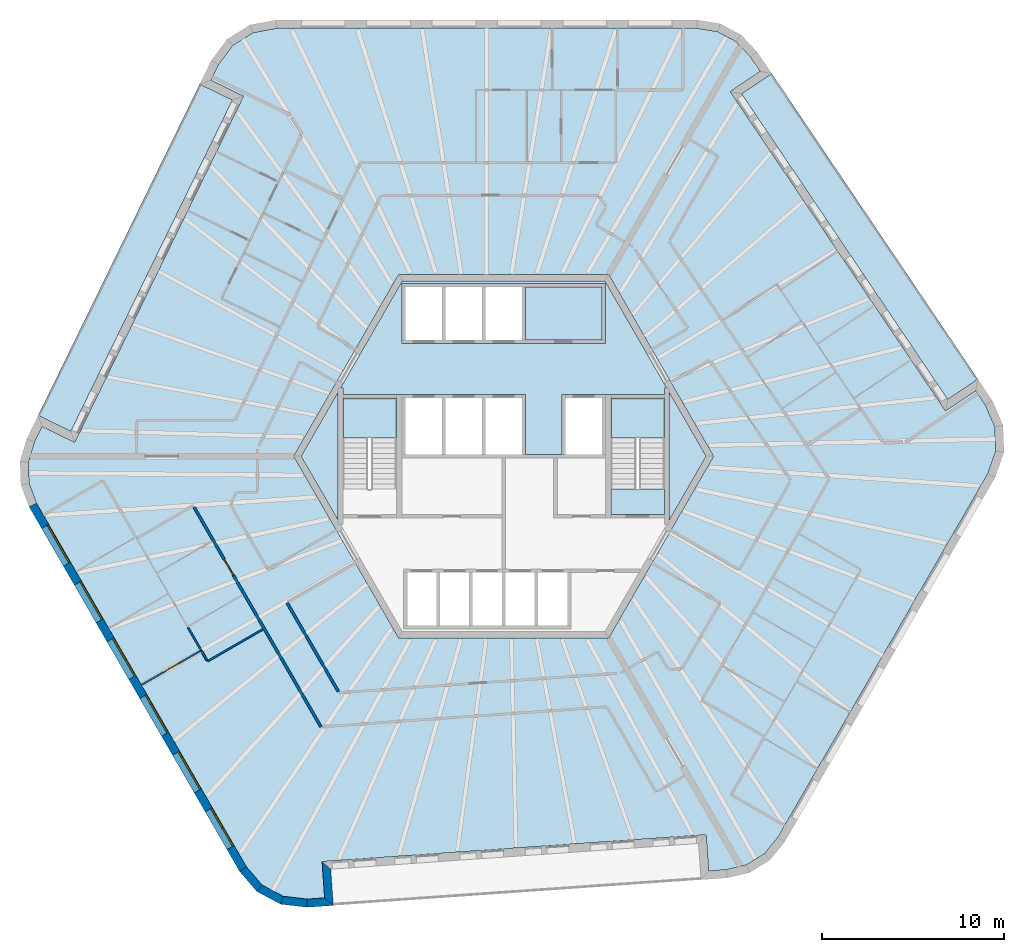
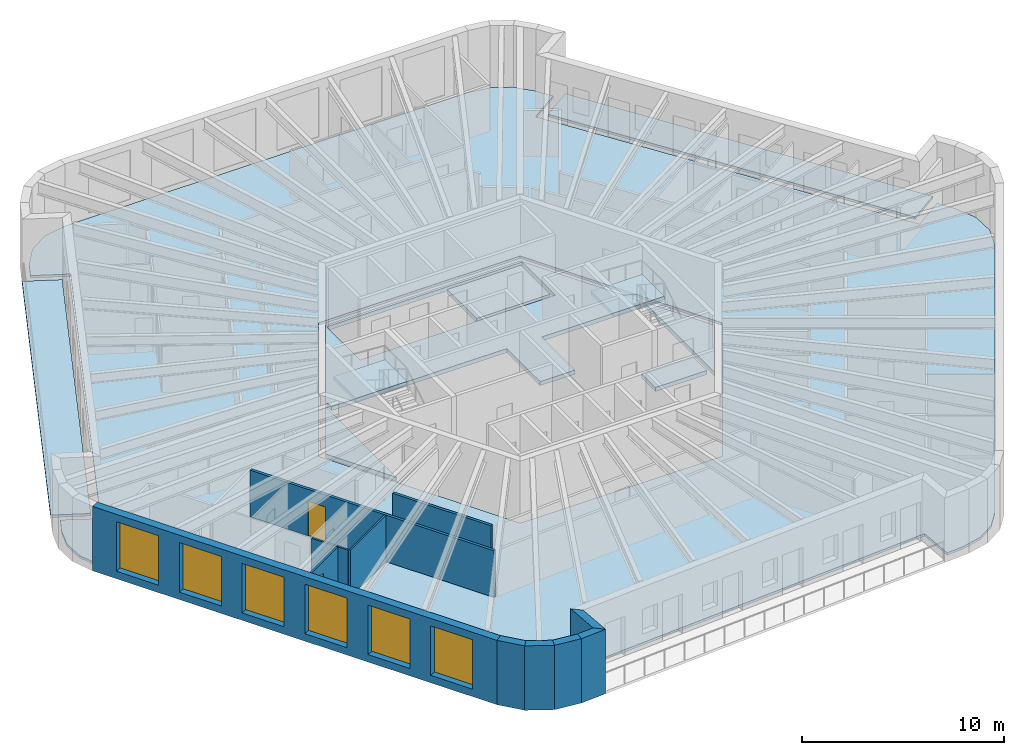
# One storey, part 2 of 11: 12 walls, 10 slabs, 6 windows, 2 doors, 8 openings, 2 elements without a shape of their own.
"""IFC4 building model written with IfcOpenShell, lengths in metres."""

from ifc_helpers import new_model, si_unit, direction, frame, frame_2d, origin, place, context, subcontext, project, spatial, polyline, rectangle, outline, extrude, material, layer, layer_set, type_object, element, fill, aggregate, save


model = new_model("IFC4")

# Units and contexts
model_context = context("Model", 3, precision=1e-05, world=origin(), true_north=direction((0.0, 1.0)))
body_context = subcontext(model_context, "Body", "Model", "MODEL_VIEW")
ifc_project = project(units=[si_unit("LENGTHUNIT", "METRE"), si_unit("AREAUNIT", "SQUARE_METRE"), si_unit("VOLUMEUNIT", "CUBIC_METRE"), si_unit("PLANEANGLEUNIT", "RADIAN"), si_unit("MASSUNIT", "GRAM", prefix="KILO")], contexts=[model_context])

# Site, building, storey
site_placement = place(None, origin())
site = spatial("IfcSite", under=ifc_project, at=site_placement, CompositionType="ELEMENT")
building_placement = place(site_placement, origin())
building = spatial("IfcBuilding", under=site, at=building_placement, Name="Tarnside Tower", CompositionType="ELEMENT")
storey_placement = place(building_placement, frame((0.0, 0.0, 357.300048828125)))
storey = spatial("IfcBuildingStorey", under=building, at=storey_placement, Name="L86", CompositionType="ELEMENT", Elevation=357.300048828125)

# Slabs
ifc_material_1 = material(Name="Concrete C35/45", Category="concrete")
ifc_layer_1 = layer(ifc_material_1, 0.14990234375)
ifc_layer_set_1 = layer_set([ifc_layer_1], Name="Composite floor slab 150")
slab_type_1 = type_object("IfcSlabType", Name="Composite floor slab 150", PredefinedType="FLOOR", material=ifc_layer_set_1)
slab_1_placement = place(storey_placement, frame((0.0, 0.0, -0.150146484375)))
element("IfcSlab", 1, at=slab_1_placement, inside=storey, type_object=slab_type_1, Name="Floor slab L86", PredefinedType="FLOOR", context=body_context, shape_type="SweptSolid", body=[
    extrude(outline(polyline([(11.769287109375, 23.3603515625), (12.785400390625, 22.8203125), (13.58740234375, 21.969970703125), (14.12255859375, 21.1767578125), (12.46435546875, 20.058349609375), (24.30908203125, 2.498046875), (25.967041015625, 3.616455078125), (26.50048828125, 2.82568359375), (27.02880859375, 1.6005859375), (27.07470703125, 0.288818359375), (26.633056640625, -0.97021484375), (15.0869140625, -20.968505859375), (14.345947265625, -21.872802734375), (13.370361328125, -22.482421875), (12.232666015625, -22.752197265625), (11.2783203125, -22.81884765625), (11.138916015625, -20.82373046875), (-9.9912109375, -22.30126953125), (-9.8515625, -24.29638671875), (-10.80322265625, -24.36279296875), (-12.12841796875, -24.2080078125), (-13.287353515625, -23.591796875), (-14.15673828125, -22.579833984375), (-25.702880859375, -2.581298828125), (-26.115478515625, -1.487548828125), (-26.155517578125, -0.337890625), (-25.8203125, 0.7822265625), (-25.40087890625, 1.64208984375), (-23.603271484375, 0.765380859375), (-14.31787109375, 19.80322265625), (-16.115478515625, 20.679931640625), (-15.697265625, 21.537353515625), (-14.900634765625, 22.607421875), (-13.787353515625, 23.302978515625), (-12.476318359375, 23.550048828125), (10.61572265625, 23.550048828125), (11.769287109375, 23.3603515625)]), holes=[polyline([(-11.547119140625, 0.0), (-5.7734375, -10.0), (5.7734375, -10.0), (11.547119140625, 0.0), (5.7734375, 10.0), (-5.7734375, 10.0), (-11.547119140625, 0.0)])]), origin(), (0.0, 0.0, 1.0), 0.150146484375),
])
ifc_material_2 = material(Name="Concrete C40/50", Category="concrete")
ifc_layer_2 = layer(ifc_material_2, 0.25)
ifc_layer_set_2 = layer_set([ifc_layer_2], Name="Core slab C40/50")
slab_type_2 = type_object("IfcSlabType", Name="Core slab C40/50", PredefinedType="FLOOR", material=ifc_layer_set_2)
slab_2_placement = place(storey_placement, frame((0.0, 0.0, -0.25)))
element("IfcSlab", 2, at=slab_2_placement, inside=storey, type_object=slab_type_2, Name="L86 core floor slab 1", PredefinedType="FLOOR", context=body_context, shape_type="SweptSolid", body=[
    extrude(outline(polyline([(5.5712890625, 9.64990234375), (8.97509765625, 3.7548828125), (8.85009765625, 3.7548828125), (8.85009765625, 3.39990234375), (5.89990234375, 3.39990234375), (5.60009765625, 3.39990234375), (3.39990234375, 3.39990234375), (3.199951171875, 3.39990234375), (3.199951171875, 0.10009765625), (1.199951171875, 0.10009765625), (1.199951171875, 3.39990234375), (1.0, 3.39990234375), (-5.60009765625, 3.39990234375), (-5.89990234375, 3.39990234375), (-8.85009765625, 3.39990234375), (-8.85009765625, 3.7548828125), (-8.97509765625, 3.7548828125), (-5.5712890625, 9.64990234375), (5.5712890625, 9.64990234375)]), holes=[polyline([(-5.60009765625, 6.199951171875), (5.60009765625, 6.199951171875), (5.60009765625, 6.39990234375), (5.60009765625, 9.300048828125), (5.60009765625, 9.5), (-5.60009765625, 9.5), (-5.60009765625, 9.300048828125), (-5.60009765625, 6.39990234375), (-5.60009765625, 6.199951171875)])]), origin(), (0.0, 0.0, 1.0), 0.25),
])
slab_3_placement = place(storey_placement, frame((0.0, 0.0, -0.25)))
element("IfcSlab", 3, at=slab_3_placement, inside=storey, type_object=slab_type_2, Name="L86 core floor slab 2", PredefinedType="FLOOR", context=body_context, shape_type="SweptSolid", body=[
    extrude(outline(polyline([(-9.10009765625, -3.538330078125), (-11.142822265625, 0.0), (-9.10009765625, 3.538330078125), (-9.10009765625, -3.538330078125)])), origin(), (0.0, 0.0, 1.0), 0.25),
])
slab_4_placement = place(storey_placement, frame((0.0, 0.0, -0.25)))
element("IfcSlab", 4, at=slab_4_placement, inside=storey, type_object=slab_type_2, Name="L86 core floor slab 4", PredefinedType="FLOOR", context=body_context, shape_type="SweptSolid", body=[
    extrude(outline(polyline([(9.10009765625, 3.538330078125), (11.142822265625, 0.0), (9.10009765625, -3.538330078125), (9.10009765625, 3.538330078125)])), origin(), (0.0, 0.0, 1.0), 0.25),
])
slab_5_placement = place(storey_placement, frame((0.0, 0.0, -0.25)))
element("IfcSlab", 5, at=slab_5_placement, inside=storey, type_object=slab_type_2, Name="L86 core floor slab 6", PredefinedType="FLOOR", context=body_context, shape_type="SweptSolid", body=[
    extrude(outline(polyline([(5.89990234375, -1.800048828125), (8.85009765625, -1.800048828125), (8.85009765625, -3.199951171875), (5.89990234375, -3.199951171875), (5.89990234375, -1.800048828125)])), origin(), (0.0, 0.0, 1.0), 0.25),
])
slab_6_placement = place(storey_placement, frame((0.0, 0.0, -0.25)))
element("IfcSlab", 6, at=slab_6_placement, inside=storey, type_object=slab_type_2, Name="L86 core floor slab 7", PredefinedType="FLOOR", context=body_context, shape_type="SweptSolid", body=[
    extrude(outline(polyline([(5.39990234375, 6.39990234375), (1.199951171875, 6.39990234375), (1.199951171875, 9.300048828125), (5.39990234375, 9.300048828125), (5.39990234375, 6.39990234375)])), origin(), (0.0, 0.0, 1.0), 0.25),
])
ifc_material_3 = material(Name="Timber decking", Category="wood")
ifc_layer_3 = layer(ifc_material_3, 0.0400390625)
ifc_material_4 = material(Name="Concrete C60/75 precast", Category="concrete")
ifc_layer_4 = layer(ifc_material_4, 0.110107421875)
ifc_layer_set_3 = layer_set([ifc_layer_3, ifc_layer_4], Name="Loggia deck 150")
slab_type_3 = type_object("IfcSlabType", Name="Loggia deck 150", PredefinedType="FLOOR", material=ifc_layer_set_3)
slab_7_placement = place(storey_placement, frame((0.0, 0.0, -0.150146484375)))
element("IfcSlab", 7, at=slab_7_placement, inside=storey, type_object=slab_type_3, Name="Loggia deck L86 F2", PredefinedType="FLOOR", context=body_context, shape_type="SweptSolid", body=[
    extrude(outline(polyline([(-14.919677734375, 19.595947265625), (-23.810546875, 1.366943359375), (-25.608154296875, 2.24365234375), (-16.71728515625, 20.47265625), (-14.919677734375, 19.595947265625)])), origin(), (0.0, 0.0, 1.0), 0.150146484375),
])
slab_8_placement = place(storey_placement, frame((0.0, 0.0, -0.150146484375)))
element("IfcSlab", 8, at=slab_8_placement, inside=storey, type_object=slab_type_3, Name="Loggia deck L86 F6", PredefinedType="FLOOR", context=body_context, shape_type="SweptSolid", body=[
    extrude(outline(polyline([(24.430419921875, 3.122802734375), (13.089111328125, 19.93701171875), (14.7470703125, 21.055419921875), (26.088623046875, 4.2412109375), (24.430419921875, 3.122802734375)])), origin(), (0.0, 0.0, 1.0), 0.150146484375),
])

# Stair, slab
stair_type = type_object("IfcStairType", Name="Exit stair 1400 clear", PredefinedType="HALF_TURN_STAIR", material=ifc_material_2)
stair_1_placement = place(storey_placement, origin())
stair_1 = element("IfcStair", 9, at=stair_1_placement, inside=storey, type_object=stair_type, Name="L86 Exit stair 1", PredefinedType="HALF_TURN_STAIR")
ifc_layer_5 = layer(ifc_material_2, 0.199951171875)
ifc_layer_set_4 = layer_set([ifc_layer_5], Name="Stair landing 200 C40/50")
slab_type_4 = type_object("IfcSlabType", Name="Stair landing 200 C40/50", PredefinedType="LANDING", material=ifc_layer_set_4)
slab_9_placement = place(storey_placement, frame((0.0, 0.0, 1.75)))
slab_9 = element("IfcSlab", 10, at=slab_9_placement, type_object=slab_type_4, Name="ST1 landing 1", PredefinedType="LANDING", context=body_context, shape_type="SweptSolid", body=[
    extrude(outline(polyline([(8.85009765625, 1.0), (8.85009765625, 3.199951171875), (5.89990234375, 3.199951171875), (5.89990234375, 1.0), (8.85009765625, 1.0)])), origin(), (0.0, 0.0, 1.0), 0.199951171875),
])
aggregate(stair_1, [slab_9])

stair_2_placement = place(storey_placement, origin())
stair_2 = element("IfcStair", 11, at=stair_2_placement, inside=storey, type_object=stair_type, Name="L86 Exit stair 2", PredefinedType="HALF_TURN_STAIR")
slab_10_placement = place(storey_placement, frame((0.0, 0.0, 1.75)))
slab_10 = element("IfcSlab", 12, at=slab_10_placement, type_object=slab_type_4, Name="ST2 landing 1", PredefinedType="LANDING", context=body_context, shape_type="SweptSolid", body=[
    extrude(outline(polyline([(-5.89990234375, 1.0), (-5.89990234375, 3.199951171875), (-8.85009765625, 3.199951171875), (-8.85009765625, 1.0), (-5.89990234375, 1.0)])), origin(), (0.0, 0.0, 1.0), 0.199951171875),
])
aggregate(stair_2, [slab_10])

# Walls
ifc_material_5 = material(Name="Gypsum board partition on steel studs", Category="steel")
ifc_layer_6 = layer(ifc_material_5, 0.10009765625)
ifc_layer_set_5 = layer_set([ifc_layer_6], Name="Bathroom wall 100")
wall_type_1 = type_object("IfcWallType", Name="Bathroom wall 100", PredefinedType="PARTITIONING", material=ifc_layer_set_5)
wall_1_placement = place(storey_placement, frame((-13.238525390625, -9.52001953125, 0.0), z_axis=(0.0, 0.0, 1.0), x_axis=(-0.866031034943, -0.499990246421, 0.0)))
element("IfcWall", 13, at=wall_1_placement, inside=storey, type_object=wall_type_1, Name="Bathroom wall 27094", PredefinedType="PARTITIONING", context=body_context, shape_type="SweptSolid", body=[
    extrude(rectangle(XDim=3.52490234375, YDim=0.10009765625, at=frame_2d((1.762451171875, 0.0))), origin(), (0.0, 0.0, 1.0), 2.820068359375),
])
wall_2_placement = place(storey_placement, frame((-16.31640625, -11.2392578125, 0.0), z_axis=(0.0, 0.0, 1.0), x_axis=(-0.499962526042, 0.866047038303, 0.0)))
element("IfcWall", 14, at=wall_2_placement, inside=storey, type_object=wall_type_1, Name="Bathroom wall 27095", PredefinedType="PARTITIONING", context=body_context, shape_type="SweptSolid", body=[
    extrude(rectangle(XDim=0.6455078125, YDim=0.10009765625, at=frame_2d((0.32275390625, 0.0))), origin(), (0.0, 0.0, 1.0), 2.820068359375),
])
wall_3_placement = place(storey_placement, frame((-16.63720703125, -10.68359375, 0.0), z_axis=(0.0, 0.0, 1.0), x_axis=(-0.500046085413, 0.865998794724, 0.0)))
element("IfcWall", 15, at=wall_3_placement, inside=storey, type_object=wall_type_1, Name="Bathroom wall 27103", PredefinedType="PARTITIONING", context=body_context, shape_type="SweptSolid", body=[
    extrude(rectangle(XDim=1.458251953125, YDim=0.10009765625, at=frame_2d((0.72900390625, 0.0))), origin(), (0.0, 0.0, 1.0), 2.820068359375),
])

# Wall, opening, door
ifc_layer_7 = layer(ifc_material_5, 0.14990234375)
ifc_layer_set_6 = layer_set([ifc_layer_7], Name="Corridor wall 150 EI 60")
wall_type_2 = type_object("IfcWallType", Name="Corridor wall 150 EI 60", PredefinedType="PARTITIONING", material=ifc_layer_set_6)
wall_4_placement = place(storey_placement, frame((-17.0361328125, -2.79248046875, 0.0), z_axis=(0.0, 0.0, 1.0), x_axis=(0.500006428338, -0.86602169235, 0.0)))
wall_4 = element("IfcWall", 16, at=wall_4_placement, inside=storey, type_object=wall_type_2, Name="Corridor wall 27024", PredefinedType="PARTITIONING", context=body_context, shape_type="SweptSolid", body=[
    extrude(rectangle(XDim=13.966064453125, YDim=0.14990234375, at=frame_2d((6.98291015625, 0.0))), origin(), (0.0, 0.0, 1.0), 2.820068359375),
])
opening_1_placement = place(wall_4_placement, frame((3.324951171875, 0.0, 0.0)))
opening_1 = element("IfcOpeningElement", 17, at=opening_1_placement, cuts=wall_4, Name="Opening D-E1", PredefinedType="OPENING", context=body_context, shape_type="SweptSolid", body=[
    extrude(rectangle(XDim=1.0, YDim=2.10009765625, at=frame_2d((0.5, 1.050048828125))), frame((0.0, 0.0849609375, 0.0), z_axis=(0.0, -1.0, 0.0), x_axis=(1.0, 0.0, 0.0)), (0.0, 0.0, 1.0), 0.169921875),
])
ifc_material_6 = material(Name="Timber door leaf", Category="wood")
door_type_1 = type_object("IfcDoorType", Name="Unit entrance door 1000 FD30S", OperationType="NOTDEFINED", PredefinedType="DOOR", material=ifc_material_6)
door_1_placement = place(opening_1_placement, origin())
door_1 = element("IfcDoor", 18, at=door_1_placement, inside=storey, type_object=door_type_1, Name="Unit door 27022", OperationType="SINGLE_SWING_RIGHT", OverallHeight=2.10009765625, OverallWidth=1.0, PredefinedType="DOOR", context=body_context, shape_type="SweptSolid", body=[
    extrude(rectangle(XDim=1.0, YDim=2.10009765625, at=frame_2d((0.5, 1.050048828125))), frame((0.0, 0.02490234375, 0.0), z_axis=(0.0, -1.0, 0.0), x_axis=(1.0, 0.0, 0.0)), (0.0, 0.0, 1.0), 0.050048828125),
])
fill(opening_1, door_1)

# Walls
wall_5_placement = place(storey_placement, frame((-9.098388671875, -12.941162109375, 0.0), z_axis=(0.0, 0.0, 1.0), x_axis=(-0.500009875128, 0.866019702301, 0.0)))
element("IfcWall", 19, at=wall_5_placement, inside=storey, type_object=wall_type_2, Name="Corridor wall 27041", PredefinedType="PARTITIONING", context=body_context, shape_type="SweptSolid", body=[
    extrude(rectangle(XDim=5.63720703125, YDim=0.14990234375, at=frame_2d((2.818603515625, 0.0))), origin(), (0.0, 0.0, 1.0), 2.820068359375),
])
ifc_material_7 = material(Name="Dark zinc cladding")
ifc_layer_8 = layer(ifc_material_7, 0.10205078125)
ifc_layer_9 = layer(ifc_material_4, 0.248046875)
ifc_material_8 = material(Name="Mineral wool insulation")
ifc_layer_10 = layer(ifc_material_8, 0.10009765625)
ifc_layer_set_7 = layer_set([ifc_layer_8, ifc_layer_9, ifc_layer_10], Name="Loggia wall 450 zinc faced")
wall_type_3 = type_object("IfcWallType", Name="Loggia wall 450 zinc faced", PredefinedType="SOLIDWALL", material=ifc_layer_set_7)
wall_6_placement = place(storey_placement, frame((-10.80859375, -24.5888671875, -0.150146484375), z_axis=(0.0, 0.0, 1.0), x_axis=(0.997562933087, 0.069772448216, 0.0)))
element("IfcWall", 20, at=wall_6_placement, inside=storey, type_object=wall_type_3, Name="Tube wall L86 F4 stub 16", PredefinedType="SOLIDWALL", context=body_context, shape_type="SweptSolid", body=[
    extrude(outline(polyline([(-0.02099609375, -0.22509765625), (1.42529296875, -0.22509765625), (0.97509765625, 0.22509765625), (0.02099609375, 0.22509765625), (-0.02099609375, -0.22509765625)])), origin(), (0.0, 0.0, 1.0), 3.900146484375),
])
wall_7_placement = place(storey_placement, frame((-9.611328125, -24.505126953125, -0.150146484375), z_axis=(0.0, 0.0, 1.0), x_axis=(-0.069824268692, 0.99755930726, 0.0)))
element("IfcWall", 21, at=wall_7_placement, inside=storey, type_object=wall_type_3, Name="Tube wall L86 F4 return 17", PredefinedType="SOLIDWALL", context=body_context, shape_type="SweptSolid", body=[
    extrude(outline(polyline([(-0.224853515625, -0.22509765625), (1.77490234375, -0.22509765625), (2.22509765625, 0.22509765625), (0.224853515625, 0.22509765625), (-0.224853515625, -0.22509765625)])), origin(), (0.0, 0.0, 1.0), 3.900146484375),
])

# Wall, opening, door
ifc_layer_11 = layer(ifc_material_5, 0.10009765625)
ifc_layer_set_8 = layer_set([ifc_layer_11], Name="Partition 100")
wall_type_4 = type_object("IfcWallType", Name="Partition 100", PredefinedType="PARTITIONING", material=ifc_layer_set_8)
wall_8_placement = place(storey_placement, frame((-16.681396484375, -10.706787109375, 0.0), z_axis=(0.0, 0.0, 1.0), x_axis=(-0.866039234136, -0.499976044363, 0.0)))
wall_8 = element("IfcWall", 22, at=wall_8_placement, inside=storey, type_object=wall_type_4, Name="Partition wall 27093", PredefinedType="PARTITIONING", context=body_context, shape_type="SweptSolid", body=[
    extrude(rectangle(XDim=3.750244140625, YDim=0.10009765625, at=frame_2d((1.875, 0.0))), origin(), (0.0, 0.0, 1.0), 2.820068359375),
])
opening_2_placement = place(wall_8_placement, frame((1.425048828125, 0.0, 0.0)))
opening_2 = element("IfcOpeningElement", 23, at=opening_2_placement, cuts=wall_8, Name="Opening D-I1", PredefinedType="OPENING", context=body_context, shape_type="SweptSolid", body=[
    extrude(rectangle(XDim=0.89990234375, YDim=2.10009765625, at=frame_2d((0.449951171875, 1.050048828125))), frame((0.0, 0.06005859375, 0.0), z_axis=(0.0, -1.0, 0.0), x_axis=(1.0, 0.0, 0.0)), (0.0, 0.0, 1.0), 0.1201171875),
])
door_type_2 = type_object("IfcDoorType", Name="Internal door 900", OperationType="NOTDEFINED", PredefinedType="DOOR", material=ifc_material_6)
door_2_placement = place(opening_2_placement, origin())
door_2 = element("IfcDoor", 24, at=door_2_placement, inside=storey, type_object=door_type_2, Name="Internal door 27058", OperationType="SINGLE_SWING_RIGHT", OverallHeight=2.10009765625, OverallWidth=0.89990234375, PredefinedType="DOOR", context=body_context, shape_type="SweptSolid", body=[
    extrude(rectangle(XDim=0.89990234375, YDim=2.10009765625, at=frame_2d((0.449951171875, 1.050048828125))), frame((0.0, 0.02490234375, 0.0), z_axis=(0.0, -1.0, 0.0), x_axis=(1.0, 0.0, 0.0)), (0.0, 0.0, 1.0), 0.050048828125),
])
fill(opening_2, door_2)

# Wall, openings, windows
ifc_material_9 = material(Name="Facing brick", Category="masonry")
ifc_layer_12 = layer(ifc_material_9, 0.10205078125)
ifc_layer_13 = layer(ifc_material_4, 0.248046875)
ifc_layer_14 = layer(ifc_material_8, 0.10009765625)
ifc_layer_set_9 = layer_set([ifc_layer_12, ifc_layer_13, ifc_layer_14], Name="Tube wall 450 brick faced")
wall_type_5 = type_object("IfcWallType", Name="Tube wall 450 brick faced", PredefinedType="SOLIDWALL", material=ifc_layer_set_9)
wall_9_placement = place(storey_placement, frame((-25.90673828125, -2.677978515625, -0.150146484375), z_axis=(0.0, 0.0, 1.0), x_axis=(0.499997453958, -0.866026873738, 0.0)))
wall_9 = element("IfcWall", 25, at=wall_9_placement, inside=storey, type_object=wall_type_5, Name="Tube wall L86 F3 flush 12", PredefinedType="SOLIDWALL", context=body_context, shape_type="SweptSolid", body=[
    extrude(outline(polyline([(-0.018310546875, -0.22509765625), (23.15234375, -0.22509765625), (23.1103515625, 0.22509765625), (0.018310546875, 0.22509765625), (-0.018310546875, -0.22509765625)])), origin(), (0.0, 0.0, 1.0), 3.900146484375),
])
opening_3_placement = place(wall_9_placement, frame((1.36572265625, 0.0, 0.449951171875)))
opening_3 = element("IfcOpeningElement", 26, at=opening_3_placement, cuts=wall_9, Name="Opening WP", PredefinedType="OPENING", context=body_context, shape_type="SweptSolid", body=[
    extrude(rectangle(XDim=2.39990234375, YDim=3.0, at=frame_2d((1.199951171875, 1.5))), frame((0.0, 0.23486328125, 0.0), z_axis=(0.0, -1.0, 0.0), x_axis=(1.0, 0.0, 0.0)), (0.0, 0.0, 1.0), 0.469970703125),
])
opening_4_placement = place(wall_9_placement, frame((4.9658203125, 0.0, 0.449951171875)))
opening_4 = element("IfcOpeningElement", 27, at=opening_4_placement, cuts=wall_9, Name="Opening WP", PredefinedType="OPENING", context=body_context, shape_type="SweptSolid", body=[
    extrude(rectangle(XDim=2.39990234375, YDim=3.0, at=frame_2d((1.199951171875, 1.5))), frame((0.0, 0.23486328125, 0.0), z_axis=(0.0, -1.0, 0.0), x_axis=(1.0, 0.0, 0.0)), (0.0, 0.0, 1.0), 0.469970703125),
])
opening_5_placement = place(wall_9_placement, frame((8.56591796875, 0.0, 0.449951171875)))
opening_5 = element("IfcOpeningElement", 28, at=opening_5_placement, cuts=wall_9, Name="Opening WP", PredefinedType="OPENING", context=body_context, shape_type="SweptSolid", body=[
    extrude(rectangle(XDim=2.39990234375, YDim=3.0, at=frame_2d((1.199951171875, 1.5))), frame((0.0, 0.23486328125, 0.0), z_axis=(0.0, -1.0, 0.0), x_axis=(1.0, 0.0, 0.0)), (0.0, 0.0, 1.0), 0.469970703125),
])
opening_6_placement = place(wall_9_placement, frame((12.165771484375, 0.0, 0.449951171875)))
opening_6 = element("IfcOpeningElement", 29, at=opening_6_placement, cuts=wall_9, Name="Opening WP", PredefinedType="OPENING", context=body_context, shape_type="SweptSolid", body=[
    extrude(rectangle(XDim=2.39990234375, YDim=3.0, at=frame_2d((1.199951171875, 1.5))), frame((0.0, 0.23486328125, 0.0), z_axis=(0.0, -1.0, 0.0), x_axis=(1.0, 0.0, 0.0)), (0.0, 0.0, 1.0), 0.469970703125),
])
opening_7_placement = place(wall_9_placement, frame((15.765869140625, 0.0, 0.449951171875)))
opening_7 = element("IfcOpeningElement", 30, at=opening_7_placement, cuts=wall_9, Name="Opening WP", PredefinedType="OPENING", context=body_context, shape_type="SweptSolid", body=[
    extrude(rectangle(XDim=2.39990234375, YDim=3.0, at=frame_2d((1.199951171875, 1.5))), frame((0.0, 0.23486328125, 0.0), z_axis=(0.0, -1.0, 0.0), x_axis=(1.0, 0.0, 0.0)), (0.0, 0.0, 1.0), 0.469970703125),
])
opening_8_placement = place(wall_9_placement, frame((19.36572265625, 0.0, 0.449951171875)))
opening_8 = element("IfcOpeningElement", 31, at=opening_8_placement, cuts=wall_9, Name="Opening WP", PredefinedType="OPENING", context=body_context, shape_type="SweptSolid", body=[
    extrude(rectangle(XDim=2.39990234375, YDim=3.0, at=frame_2d((1.199951171875, 1.5))), frame((0.0, 0.23486328125, 0.0), z_axis=(0.0, -1.0, 0.0), x_axis=(1.0, 0.0, 0.0)), (0.0, 0.0, 1.0), 0.469970703125),
])
ifc_material_10 = material(Name="Aluminium-framed double glazing", Category="aluminium")
window_type = type_object("IfcWindowType", Name="Penthouse window 2400 x 3000", PartitioningType="DOUBLE_PANEL_VERTICAL", PredefinedType="WINDOW", material=ifc_material_10)
window_1_placement = place(opening_3_placement, frame((0.0, 0.1552734375, 0.0)))
window_1 = element("IfcWindow", 32, at=window_1_placement, inside=storey, type_object=window_type, Name="E.WN.L86.F3.00", OverallHeight=3.0, OverallWidth=2.39990234375, PartitioningType="DOUBLE_PANEL_VERTICAL", PredefinedType="WINDOW", context=body_context, shape_type="SweptSolid", body=[
    extrude(rectangle(XDim=2.39990234375, YDim=3.0, at=frame_2d((1.199951171875, 1.5))), frame((0.0, 0.030029296875, 0.0), z_axis=(0.0, -1.0, 0.0), x_axis=(1.0, 0.0, 0.0)), (0.0, 0.0, 1.0), 0.06005859375),
])
fill(opening_3, window_1)
window_2_placement = place(opening_4_placement, frame((0.0, 0.1552734375, 0.0)))
window_2 = element("IfcWindow", 33, at=window_2_placement, inside=storey, type_object=window_type, Name="E.WN.L86.F3.01", OverallHeight=3.0, OverallWidth=2.39990234375, PartitioningType="DOUBLE_PANEL_VERTICAL", PredefinedType="WINDOW", context=body_context, shape_type="SweptSolid", body=[
    extrude(rectangle(XDim=2.39990234375, YDim=3.0, at=frame_2d((1.199951171875, 1.5))), frame((0.0, 0.030029296875, 0.0), z_axis=(0.0, -1.0, 0.0), x_axis=(1.0, 0.0, 0.0)), (0.0, 0.0, 1.0), 0.06005859375),
])
fill(opening_4, window_2)
window_3_placement = place(opening_5_placement, frame((0.0, 0.1552734375, 0.0)))
window_3 = element("IfcWindow", 34, at=window_3_placement, inside=storey, type_object=window_type, Name="E.WN.L86.F3.02", OverallHeight=3.0, OverallWidth=2.39990234375, PartitioningType="DOUBLE_PANEL_VERTICAL", PredefinedType="WINDOW", context=body_context, shape_type="SweptSolid", body=[
    extrude(rectangle(XDim=2.39990234375, YDim=3.0, at=frame_2d((1.199951171875, 1.5))), frame((0.0, 0.030029296875, 0.0), z_axis=(0.0, -1.0, 0.0), x_axis=(1.0, 0.0, 0.0)), (0.0, 0.0, 1.0), 0.06005859375),
])
fill(opening_5, window_3)
window_4_placement = place(opening_6_placement, frame((0.0, 0.1552734375, 0.0)))
window_4 = element("IfcWindow", 35, at=window_4_placement, inside=storey, type_object=window_type, Name="E.WN.L86.F3.03", OverallHeight=3.0, OverallWidth=2.39990234375, PartitioningType="DOUBLE_PANEL_VERTICAL", PredefinedType="WINDOW", context=body_context, shape_type="SweptSolid", body=[
    extrude(rectangle(XDim=2.39990234375, YDim=3.0, at=frame_2d((1.199951171875, 1.5))), frame((0.0, 0.030029296875, 0.0), z_axis=(0.0, -1.0, 0.0), x_axis=(1.0, 0.0, 0.0)), (0.0, 0.0, 1.0), 0.06005859375),
])
fill(opening_6, window_4)
window_5_placement = place(opening_7_placement, frame((0.0, 0.1552734375, 0.0)))
window_5 = element("IfcWindow", 36, at=window_5_placement, inside=storey, type_object=window_type, Name="E.WN.L86.F3.04", OverallHeight=3.0, OverallWidth=2.39990234375, PartitioningType="DOUBLE_PANEL_VERTICAL", PredefinedType="WINDOW", context=body_context, shape_type="SweptSolid", body=[
    extrude(rectangle(XDim=2.39990234375, YDim=3.0, at=frame_2d((1.199951171875, 1.5))), frame((0.0, 0.030029296875, 0.0), z_axis=(0.0, -1.0, 0.0), x_axis=(1.0, 0.0, 0.0)), (0.0, 0.0, 1.0), 0.06005859375),
])
fill(opening_7, window_5)
window_6_placement = place(opening_8_placement, frame((0.0, 0.1552734375, 0.0)))
window_6 = element("IfcWindow", 37, at=window_6_placement, inside=storey, type_object=window_type, Name="E.WN.L86.F3.05", OverallHeight=3.0, OverallWidth=2.39990234375, PartitioningType="DOUBLE_PANEL_VERTICAL", PredefinedType="WINDOW", context=body_context, shape_type="SweptSolid", body=[
    extrude(rectangle(XDim=2.39990234375, YDim=3.0, at=frame_2d((1.199951171875, 1.5))), frame((0.0, 0.030029296875, 0.0), z_axis=(0.0, -1.0, 0.0), x_axis=(1.0, 0.0, 0.0)), (0.0, 0.0, 1.0), 0.06005859375),
])
fill(opening_8, window_6)

# Walls
wall_10_placement = place(storey_placement, frame((-14.341064453125, -22.71044921875, -0.150146484375), z_axis=(0.0, 0.0, 1.0), x_axis=(0.651625422694, -0.758540907597, 0.0)))
element("IfcWall", 38, at=wall_10_placement, inside=storey, type_object=wall_type_5, Name="Tube wall L86 F3 chord 13", PredefinedType="SOLIDWALL", context=body_context, shape_type="SweptSolid", body=[
    extrude(outline(polyline([(-0.02099609375, -0.22509765625), (1.43994140625, -0.22509765625), (1.35498046875, 0.22509765625), (0.02099609375, 0.22509765625), (-0.02099609375, -0.22509765625)])), origin(), (0.0, 0.0, 1.0), 3.900146484375),
])
wall_11_placement = place(storey_placement, frame((-13.430419921875, -23.7705078125, -0.150146484375), z_axis=(0.0, 0.0, 1.0), x_axis=(0.882966382564, -0.469436222784, 0.0)))
element("IfcWall", 39, at=wall_11_placement, inside=storey, type_object=wall_type_5, Name="Tube wall L86 F3 chord 14", PredefinedType="SOLIDWALL", context=body_context, shape_type="SweptSolid", body=[
    extrude(outline(polyline([(-0.04248046875, -0.22509765625), (1.43994140625, -0.22509765625), (1.35498046875, 0.22509765625), (0.04248046875, 0.22509765625), (-0.04248046875, -0.22509765625)])), origin(), (0.0, 0.0, 1.0), 3.900146484375),
])
wall_12_placement = place(storey_placement, frame((-12.196533203125, -24.426513671875, -0.150146484375), z_axis=(0.0, 0.0, 1.0), x_axis=(0.993227902261, -0.116182331575, 0.0)))
element("IfcWall", 40, at=wall_12_placement, inside=storey, type_object=wall_type_5, Name="Tube wall L86 F3 chord 15", PredefinedType="SOLIDWALL", context=body_context, shape_type="SweptSolid", body=[
    extrude(outline(polyline([(-0.04248046875, -0.22509765625), (1.41845703125, -0.22509765625), (1.37646484375, 0.22509765625), (0.04248046875, 0.22509765625), (-0.04248046875, -0.22509765625)])), origin(), (0.0, 0.0, 1.0), 3.900146484375),
])

save(model, "model.ifc")
